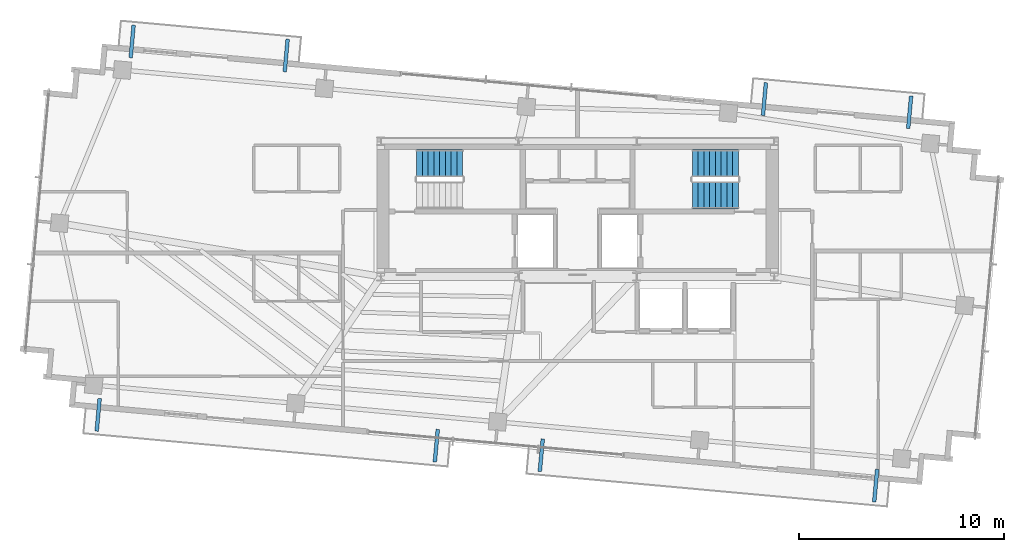
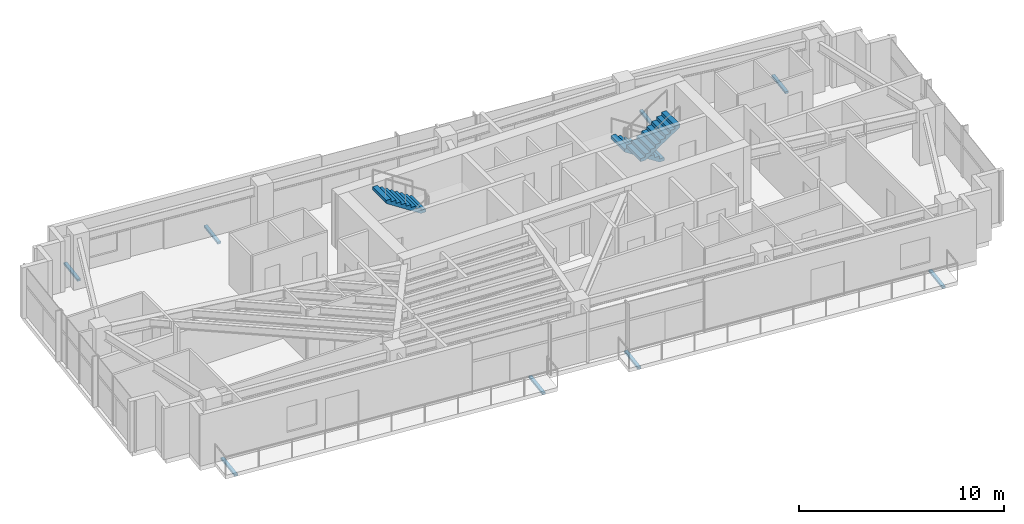
# One storey, part 19 of 22: 8 discrete accessories, 3 stair flights, 2 elements without a shape of their own.
"""IFC4 building model written with IfcOpenShell, lengths in metres."""

from ifc_helpers import new_model, si_unit, direction, frame, origin, origin_2d, place, context, subcontext, project, spatial, polyline, rectangle, outline, extrude, source, transform, mapped, material, type_object, type_shapes, element, aggregate, save


model = new_model("IFC4")

# Units and contexts
model_context = context("Model", 3, precision=1e-05, world=origin(), true_north=direction((0.0, 1.0)))
body_context = subcontext(model_context, "Body", "Model", "MODEL_VIEW")
ifc_project = project(units=[si_unit("LENGTHUNIT", "METRE"), si_unit("AREAUNIT", "SQUARE_METRE"), si_unit("VOLUMEUNIT", "CUBIC_METRE"), si_unit("PLANEANGLEUNIT", "RADIAN"), si_unit("MASSUNIT", "GRAM", prefix="KILO")], contexts=[model_context])

# Site, building, storey
site_placement = place(None, origin())
site = spatial("IfcSite", under=ifc_project, at=site_placement, CompositionType="ELEMENT")
building_placement = place(site_placement, origin())
building = spatial("IfcBuilding", under=site, at=building_placement, Name="Astriad Promenade Condominiums", CompositionType="ELEMENT")
storey_placement = place(building_placement, frame((0.0, 0.0, 246.300048828125)))
storey = spatial("IfcBuildingStorey", under=building, at=storey_placement, Name="L71", CompositionType="ELEMENT", Elevation=246.300048828125)

# Stair, stair flight
ifc_material_1 = material(Name="Concrete C50/60", Category="concrete")
stair_type = type_object("IfcStairType", Name="STR-CORE-1350", PredefinedType="HALF_TURN_STAIR", material=ifc_material_1)
stair_1_placement = place(storey_placement, origin())
stair_1 = element("IfcStair", 1, at=stair_1_placement, inside=storey, type_object=stair_type, Name="L71 Enclosed Core Exit Stair ST-1", PredefinedType="HALF_TURN_STAIR")
stair_flight_type = type_object("IfcStairFlightType", Name="SFL-CORE-1350", PredefinedType="STRAIGHT", material=ifc_material_1)
shared_shape_1 = source(origin(), body_context, "Body", "SweptSolid", [
    extrude(outline(polyline([(0.0, 0.0), (0.0, 0.183349609375), (0.280029296875, 0.183349609375), (0.280029296875, 0.36669921875), (0.56005859375, 0.36669921875), (0.56005859375, 0.550048828125), (0.840087890625, 0.550048828125), (0.840087890625, 0.7333984375), (1.1201171875, 0.7333984375), (1.1201171875, 0.916748046875), (1.39990234375, 0.916748046875), (1.39990234375, 1.10009765625), (1.679931640625, 1.10009765625), (1.679931640625, 1.283447265625), (1.9599609375, 1.283447265625), (1.9599609375, 1.466552734375), (2.239990234375, 1.466552734375), (2.239990234375, 1.64990234375), (2.239990234375, 1.28759765625), (0.273681640625, 0.0), (0.0, 0.0)])), frame((0.0, 0.675048828125, 0.0), z_axis=(0.0, -1.0, 0.0), x_axis=(1.0, 0.0, 0.0)), (0.0, 0.0, 1.0), 1.35009765625),
])
type_shapes(stair_flight_type, [shared_shape_1])
stair_flight_1_placement = place(storey_placement, frame((30.389892578125, 22.925048828125, 1.64990234375), z_axis=(0.0, 0.0, 1.0), x_axis=(-1.0, 0.0, 0.0)))
stair_flight_1 = element("IfcStairFlight", 2, at=stair_flight_1_placement, type_object=stair_flight_type, Name="ST-1 flight 2", NumberOfRisers=9, NumberOfTreads=8, PredefinedType="STRAIGHT", RiserHeight=0.183333333, TreadLength=0.28, context=body_context, shape_type="MappedRepresentation", body=[
    mapped(shared_shape_1, transform((0.0, 0.0, 0.0), scale=1.0)),
])
aggregate(stair_1, [stair_flight_1])

# Stair, stair flights
stair_2_placement = place(storey_placement, origin())
stair_2 = element("IfcStair", 3, at=stair_2_placement, inside=storey, type_object=stair_type, Name="L71 Enclosed Core Exit Stair ST-2", PredefinedType="HALF_TURN_STAIR")
stair_flight_2_placement = place(storey_placement, frame((43.85009765625, 22.925048828125, 0.0), z_axis=(0.0, 0.0, 1.0), x_axis=(-1.0, 0.0, 0.0)))
stair_flight_2 = element("IfcStairFlight", 4, at=stair_flight_2_placement, type_object=stair_flight_type, Name="ST-2 flight 1", NumberOfRisers=9, NumberOfTreads=8, PredefinedType="STRAIGHT", RiserHeight=0.183333333, TreadLength=0.28, context=body_context, shape_type="MappedRepresentation", body=[
    mapped(shared_shape_1, transform((0.0, 0.0, 0.0), scale=1.0)),
])
stair_flight_3_placement = place(storey_placement, frame((41.610107421875, 21.375, 1.64990234375), z_axis=(0.0, 0.0, 1.0), x_axis=(1.0, 0.0, 0.0)))
stair_flight_3 = element("IfcStairFlight", 5, at=stair_flight_3_placement, type_object=stair_flight_type, Name="ST-2 flight 2", NumberOfRisers=9, NumberOfTreads=8, PredefinedType="STRAIGHT", RiserHeight=0.183333333, TreadLength=0.28, context=body_context, shape_type="MappedRepresentation", body=[
    mapped(shared_shape_1, transform((0.0, 0.0, 0.0), scale=1.0)),
])
aggregate(stair_2, [stair_flight_2, stair_flight_3])

# Discrete accessories
ifc_material_2 = material(Name="Steel ASTM A572 Grade 50", Category="steel")
discrete_accessory_type = type_object("IfcDiscreteAccessoryType", Name="STEEL BALCONY OUTRIGGER BRACKET", PredefinedType="BRACKET", material=ifc_material_2)
shared_shape_2 = source(origin(), body_context, "Body", "SweptSolid", [
    extrude(rectangle(XDim=1.60009765625, YDim=0.179931640625, at=origin_2d()), origin(), (0.0, 0.0, 1.0), 0.1220703125),
])
type_shapes(discrete_accessory_type, [shared_shape_2])
for number, where, z_axis, x_axis, name in (
    (6, (12.601806640625, 10.650390625, -0.340087890625), (0.0, 0.0, 1.0), (-0.090632580198, -0.995884398616, 0.0), "Balcony Outrigger Bracket BAL-L71-SW-A"),
    (7, (29.105712890625, 9.1484375, -0.340087890625), (0.0, 0.0, 1.0), (-0.090632580198, -0.995884398616, 0.0), "Balcony Outrigger Bracket BAL-L71-SW-B"),
    (8, (34.2294921875, 8.68212890625, -0.340087890625), (0.0, 0.0, 1.0), (-0.090632580198, -0.995884398616, 0.0), "Balcony Outrigger Bracket BAL-L71-SE-A"),
    (9, (50.55078125, 7.19677734375, -0.340087890625), (0.0, 0.0, 1.0), (-0.090632580198, -0.995884398616, 0.0), "Balcony Outrigger Bracket BAL-L71-SE-B"),
    (10, (14.26025390625, 28.875, -0.340087890625), (0.0, 0.0, 1.0), (0.090632580198, 0.995884398616, 0.0), "Balcony Outrigger Bracket BAL-L71-NW-A"),
    (11, (21.7783203125, 28.19091796875, -0.340087890625), (0.0, 0.0, 1.0), (0.090632580198, 0.995884398616, 0.0), "Balcony Outrigger Bracket BAL-L71-NW-B"),
    (12, (45.121826171875, 26.06640625, -0.340087890625), (0.0, 0.0, 1.0), (0.090632580198, 0.995884398616, 0.0), "Balcony Outrigger Bracket BAL-L71-NE-A"),
    (13, (52.20947265625, 25.42138671875, -0.340087890625), (0.0, 0.0, 1.0), (0.090632580198, 0.995884398616, 0.0), "Balcony Outrigger Bracket BAL-L71-NE-B"),
):
    element("IfcDiscreteAccessory", number, at=place(storey_placement, frame(where, z_axis=z_axis, x_axis=x_axis)), inside=storey, type_object=discrete_accessory_type, Name=name, PredefinedType="BRACKET", context=body_context, shape_type="MappedRepresentation", body=[
        mapped(shared_shape_2, transform((0.0, 0.0, 0.0), scale=1.0)),
    ])

save(model, "model.ifc")
